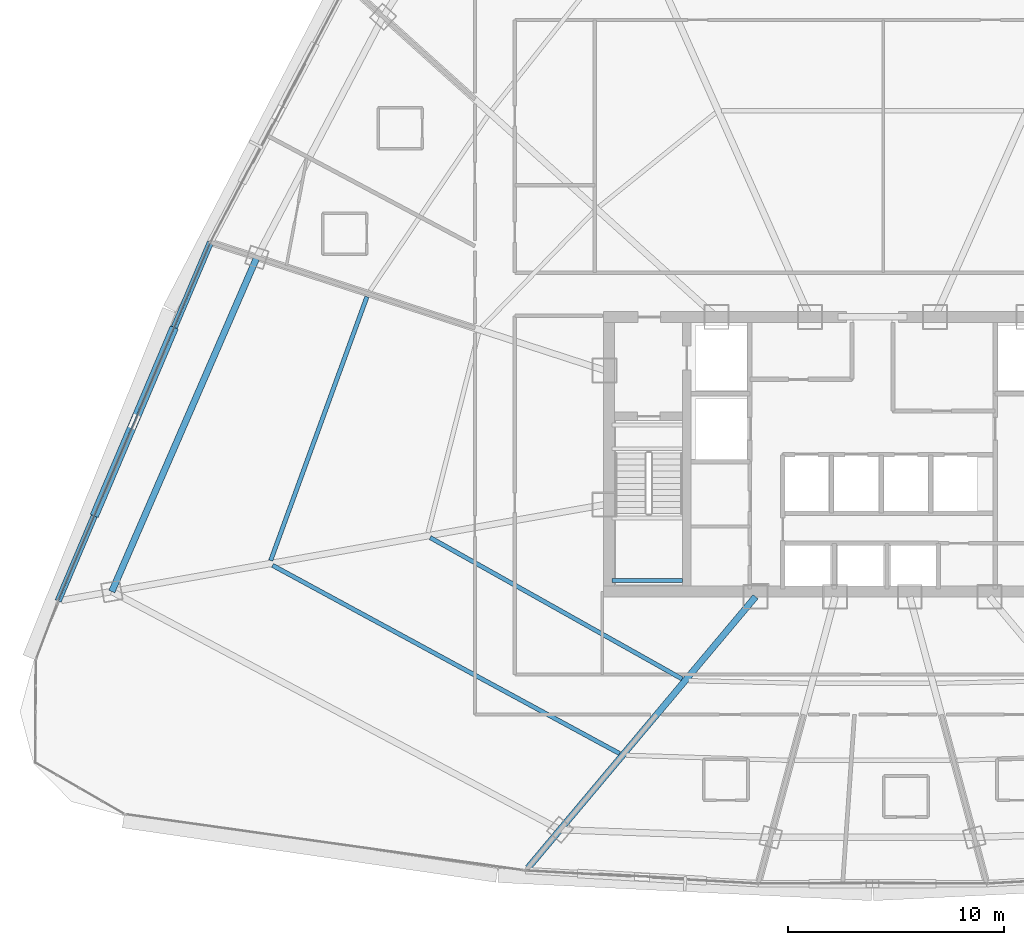
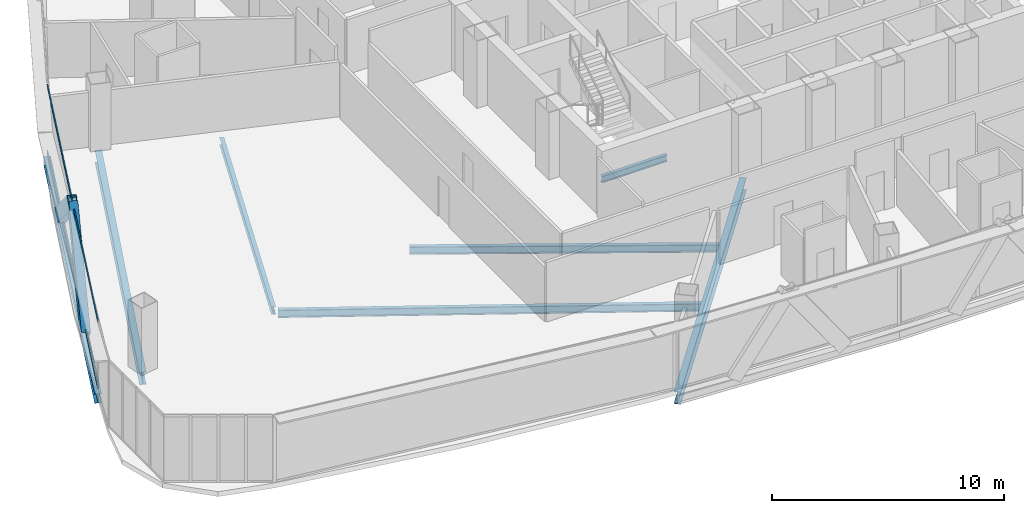
# One storey, part 7 of 40: 7 beams, 4 members, 1 element without a shape of its own.
"""IFC4 building model written with IfcOpenShell, lengths in metres."""

from ifc_helpers import new_model, si_unit, direction, frame, origin, origin_2d, place, context, subcontext, project, spatial, hollow_rectangle, i_section, extrude, source, transform, mapped, material, layer, layer_set, material_profile, profile_set, type_object, element, aggregate, save


model = new_model("IFC4")

# Units and contexts
model_context = context("Model", 3, precision=1e-05, world=origin(), true_north=direction((0.0, 1.0)))
body_context = subcontext(model_context, "Body", "Model", "MODEL_VIEW")
ifc_project = project(units=[si_unit("LENGTHUNIT", "METRE"), si_unit("AREAUNIT", "SQUARE_METRE"), si_unit("VOLUMEUNIT", "CUBIC_METRE"), si_unit("PLANEANGLEUNIT", "RADIAN"), si_unit("MASSUNIT", "GRAM", prefix="KILO"), si_unit("THERMODYNAMICTEMPERATUREUNIT", "KELVIN"), si_unit("POWERUNIT", "WATT")], contexts=[model_context])

# Site, building, storey
site_placement = place(None, origin())
site = spatial("IfcSite", under=ifc_project, at=site_placement, CompositionType="ELEMENT")
building_placement = place(site_placement, origin())
building = spatial("IfcBuilding", under=site, at=building_placement, Name="Yunzhuo Pagoda Commons", CompositionType="ELEMENT")
storey_placement = place(building_placement, frame((0.0, 0.0, 180.9599609375)))
storey = spatial("IfcBuildingStorey", under=building, at=storey_placement, Name="L45", CompositionType="ELEMENT", Elevation=180.9599609375)

# Beams
ifc_material_1 = material(Name="Structural steel Q355B", Category="steel")
ifc_material_profile_1 = material_profile(ifc_material_1, i_section(OverallWidth=0.175048828125, OverallDepth=0.35009765625, WebThickness=0.007080078125, FlangeThickness=0.010986328125, at=origin_2d()), Name="Structural steel Q355B")
ifc_profile_set_1 = profile_set([ifc_material_profile_1], Name="Structural steel Q355B")
beam_type_1 = type_object("IfcBeamType", Name="B-JS2 Joist HN 350x175x7x11", PredefinedType="JOIST", material=ifc_profile_set_1)
shared_shape_1 = source(origin(), body_context, "Body", "SweptSolid", [
    extrude(i_section(OverallWidth=0.175048828125, OverallDepth=0.35009765625, WebThickness=0.007080078125, FlangeThickness=0.010986328125, at=origin_2d()), origin(), (0.0, 0.0, 1.0), 3.25),
])
beam_1_placement = place(storey_placement, frame((35.949951171875, 28.0, 1.525146484375), z_axis=(1.0, 0.0, 0.0), x_axis=(0.0, 1.0, 0.0)))
element("IfcBeam", 1, at=beam_1_placement, inside=storey, type_object=beam_type_1, Name="L45 ST1 landing support beam 51A", PredefinedType="JOIST", context=body_context, shape_type="MappedRepresentation", body=[
    mapped(shared_shape_1, transform((0.0, 0.0, 0.0), scale=1.0)),
])
ifc_material_profile_2 = material_profile(ifc_material_1, i_section(OverallWidth=0.300048828125, OverallDepth=0.488037109375, WebThickness=0.010986328125, FlangeThickness=0.01806640625, at=origin_2d()), Name="Structural steel Q355B")
ifc_profile_set_2 = profile_set([ifc_material_profile_2], Name="Structural steel Q355B")
beam_type_2 = type_object("IfcBeamType", Name="B-SP1 Beam HM 488x300x11x18", PredefinedType="BEAM", material=ifc_profile_set_2)
shared_shape_2 = source(origin(), body_context, "Body", "SweptSolid", [
    extrude(i_section(OverallWidth=0.300048828125, OverallDepth=0.488037109375, WebThickness=0.010986328125, FlangeThickness=0.01806640625, at=origin_2d()), origin(), (0.0, 0.0, 1.0), 18.037353515625),
])
beam_2_placement = place(storey_placement, frame((17.355224609375, 43.6572265625, -0.50390625), z_axis=(-0.390723291802, -0.920508179889, 0.0), x_axis=(0.920508179889, -0.390723291802, 0.0)))
element("IfcBeam", 2, at=beam_2_placement, inside=storey, type_object=beam_type_2, Name="L45 facade edge spandrel beam F3.3", PredefinedType="BEAM", context=body_context, shape_type="MappedRepresentation", body=[
    mapped(shared_shape_2, transform((0.0, 0.0, 0.0), scale=1.0)),
])
ifc_material_profile_3 = material_profile(ifc_material_1, i_section(OverallWidth=0.300048828125, OverallDepth=0.64990234375, WebThickness=0.012939453125, FlangeThickness=0.02197265625, at=origin_2d()), Name="Structural steel Q355B")
ifc_profile_set_3 = profile_set([ifc_material_profile_3], Name="Structural steel Q355B")
beam_type_3 = type_object("IfcBeamType", Name="B-RG2 Beam HN 650x300x13x22", PredefinedType="BEAM", material=ifc_profile_set_3)
shared_shape_3 = source(origin(), body_context, "Body", "SweptSolid", [
    extrude(i_section(OverallWidth=0.300048828125, OverallDepth=0.64990234375, WebThickness=0.012939453125, FlangeThickness=0.02197265625, at=origin_2d()), origin(), (0.0, 0.0, 1.0), 16.859619140625),
])
beam_3_placement = place(storey_placement, frame((19.50537109375, 42.95849609375, -0.5849609375), z_axis=(-0.398104384161, -0.917340121935, 0.0), x_axis=(0.917340121935, -0.398104384161, 0.0)))
element("IfcBeam", 3, at=beam_3_placement, inside=storey, type_object=beam_type_3, Name="L45 column-ring beam 11", PredefinedType="BEAM", context=body_context, shape_type="MappedRepresentation", body=[
    mapped(shared_shape_3, transform((0.0, 0.0, 0.0), scale=1.0)),
])
shared_shape_4 = source(origin(), body_context, "Body", "SweptSolid", [
    extrude(i_section(OverallWidth=0.300048828125, OverallDepth=0.64990234375, WebThickness=0.012939453125, FlangeThickness=0.02197265625, at=origin_2d()), origin(), (0.0, 0.0, 1.0), 16.390625),
])
beam_4_placement = place(storey_placement, frame((32.05224609375, 14.694091796875, -0.5849609375), z_axis=(0.642787129535, 0.766044846014, 0.0), x_axis=(-0.766044846014, 0.642787129535, 0.0)))
element("IfcBeam", 4, at=beam_4_placement, inside=storey, type_object=beam_type_3, Name="L45 radial floor girder F1C1", PredefinedType="BEAM", context=body_context, shape_type="MappedRepresentation", body=[
    mapped(shared_shape_4, transform((0.0, 0.0, 0.0), scale=1.0)),
])
ifc_material_profile_4 = material_profile(ifc_material_1, i_section(OverallWidth=0.199951171875, OverallDepth=0.39990234375, WebThickness=0.008056640625, FlangeThickness=0.012939453125, at=origin_2d()), Name="Structural steel Q355B")
ifc_profile_set_4 = profile_set([ifc_material_profile_4], Name="Structural steel Q355B")
beam_type_4 = type_object("IfcBeamType", Name="B-JS1 Joist HN 400x200x8x13", PredefinedType="JOIST", material=ifc_profile_set_4)
shared_shape_5 = source(origin(), body_context, "Body", "SweptSolid", [
    extrude(i_section(OverallWidth=0.199951171875, OverallDepth=0.39990234375, WebThickness=0.008056640625, FlangeThickness=0.012939453125, at=origin_2d()), origin(), (0.0, 0.0, 1.0), 13.372802734375),
])
beam_5_placement = place(storey_placement, frame((27.5283203125, 29.988037109375, -0.4599609375), z_axis=(0.872150261016, -0.4892381038, 0.0), x_axis=(0.4892381038, 0.872150261016, 0.0)))
element("IfcBeam", 5, at=beam_5_placement, inside=storey, type_object=beam_type_4, Name="L45 composite ring joist 1.12", PredefinedType="JOIST", context=body_context, shape_type="MappedRepresentation", body=[
    mapped(shared_shape_5, transform((0.0, 0.0, 0.0), scale=1.0)),
])
shared_shape_6 = source(origin(), body_context, "Body", "SweptSolid", [
    extrude(i_section(OverallWidth=0.199951171875, OverallDepth=0.39990234375, WebThickness=0.008056640625, FlangeThickness=0.012939453125, at=origin_2d()), origin(), (0.0, 0.0, 1.0), 18.27294921875),
])
beam_6_placement = place(storey_placement, frame((20.2314453125, 28.703125, -0.4599609375), z_axis=(0.879067821824, -0.476696721861, 0.0), x_axis=(0.476696721861, 0.879067821824, 0.0)))
element("IfcBeam", 6, at=beam_6_placement, inside=storey, type_object=beam_type_4, Name="L45 composite ring joist 2.12", PredefinedType="JOIST", context=body_context, shape_type="MappedRepresentation", body=[
    mapped(shared_shape_6, transform((0.0, 0.0, 0.0), scale=1.0)),
])
shared_shape_7 = source(origin(), body_context, "Body", "SweptSolid", [
    extrude(i_section(OverallWidth=0.199951171875, OverallDepth=0.39990234375, WebThickness=0.008056640625, FlangeThickness=0.012939453125, at=origin_2d()), origin(), (0.0, 0.0, 1.0), 12.994873046875),
])
beam_7_placement = place(storey_placement, frame((24.60107421875, 41.1357421875, -0.4599609375), z_axis=(-0.342834977914, -0.939395645039, 0.0), x_axis=(0.939395645039, -0.342834977914, 0.0)))
element("IfcBeam", 7, at=beam_7_placement, inside=storey, type_object=beam_type_4, Name="L45 composite ring joist 2.11", PredefinedType="JOIST", context=body_context, shape_type="MappedRepresentation", body=[
    mapped(shared_shape_7, transform((0.0, 0.0, 0.0), scale=1.0)),
])

# Members
ifc_material_profile_5 = material_profile(ifc_material_1, hollow_rectangle(XDim=0.39990234375, YDim=0.719970703125, WallThickness=0.02392578125, at=origin_2d()), Name="Structural steel Q355B")
ifc_profile_set_5 = profile_set([ifc_material_profile_5], Name="Structural steel Q355B")
member_type_1 = type_object("IfcMemberType", Name="M-DL2 Brace BOX 720x400x24", PredefinedType="BRACE", material=ifc_profile_set_5)
shared_shape_8 = source(origin(), body_context, "Body", "SweptSolid", [
    extrude(hollow_rectangle(XDim=0.39990234375, YDim=0.719970703125, WallThickness=0.02392578125, at=origin_2d()), origin(), (0.0, 0.0, 1.0), 5.89697265625),
])
for number, where, z_axis, x_axis, name in (
    (8, (15.593017578125, 39.50634765625, -0.260009765625), (-0.298751694523, -0.703904699318, 0.644411048399), (0.92052278395, -0.390688884189, 0.0), "L45 facade diamond brace F3.3L"),
    (9, (12.069580078125, 31.20458984375, -0.260009765625), (0.298751694523, 0.703904699318, 0.644411048399), (-0.92052278395, 0.390688884189, 0.0), "L45 facade diamond brace F3.3R"),
):
    element("IfcMember", number, at=place(storey_placement, frame(where, z_axis=z_axis, x_axis=x_axis)), inside=storey, type_object=member_type_1, Name=name, PredefinedType="BRACE", context=body_context, shape_type="MappedRepresentation", body=[
        mapped(shared_shape_8, transform((0.0, 0.0, 0.0), scale=1.0)),
    ])

# Curtain wall, members
ifc_material_2 = material(Name="Anodized aluminium 6063-T6", Category="aluminium")
ifc_layer = layer(ifc_material_2, 0.14990234375)
ifc_layer_set = layer_set([ifc_layer], Name="Anodized aluminium 6063-T6")
curtain_wall_type = type_object("IfcCurtainWallType", Name="CW-MID Mid-Zone Ribbon Curtain Wall", PredefinedType="NOTDEFINED", material=ifc_layer_set)
curtain_wall_placement = place(storey_placement, origin())
curtain_wall = element("IfcCurtainWall", 10, at=curtain_wall_placement, inside=storey, type_object=curtain_wall_type, Name="L45 curtain wall CW-L45-F3B4", PredefinedType="NOTDEFINED")
ifc_material_profile_6 = material_profile(ifc_material_2, hollow_rectangle(XDim=0.054931640625, YDim=0.1298828125, WallThickness=0.00341796875, at=origin_2d()), Name="Anodized aluminium 6063-T6")
ifc_profile_set_6 = profile_set([ifc_material_profile_6], Name="Anodized aluminium 6063-T6")
member_type_2 = type_object("IfcMemberType", Name="CW-MID-T Transom RHS 130x55x3.5", PredefinedType="USERDEFINED", material=ifc_profile_set_6)
shared_shape_9 = source(origin(), body_context, "Body", "SweptSolid", [
    extrude(hollow_rectangle(XDim=0.054931640625, YDim=0.1298828125, WallThickness=0.00341796875, at=origin_2d()), origin(), (0.0, 0.0, 1.0), 17.917236328125),
])
member_1_placement = place(storey_placement, frame((17.33154296875, 43.60205078125, 0.027587890625), z_axis=(-0.390715008081, -0.920511695993, 0.0), x_axis=(0.920511695993, -0.390715008081, 0.0)))
member_1 = element("IfcMember", 11, at=member_1_placement, type_object=member_type_2, Name="CW transom 1.1", ObjectType="TRANSOM", PredefinedType="USERDEFINED", context=body_context, shape_type="MappedRepresentation", body=[
    mapped(shared_shape_9, transform((0.0, 0.0, 0.0), scale=1.0)),
])
member_2_placement = place(storey_placement, frame((17.33154296875, 43.60205078125, 3.512451171875), z_axis=(-0.390715008081, -0.920511695993, 0.0), x_axis=(0.920511695993, -0.390715008081, 0.0)))
member_2 = element("IfcMember", 12, at=member_2_placement, type_object=member_type_2, Name="CW transom 1.2", ObjectType="TRANSOM", PredefinedType="USERDEFINED", context=body_context, shape_type="MappedRepresentation", body=[
    mapped(shared_shape_9, transform((0.0, 0.0, 0.0), scale=1.0)),
])
aggregate(curtain_wall, [member_1, member_2])

save(model, "model.ifc")
